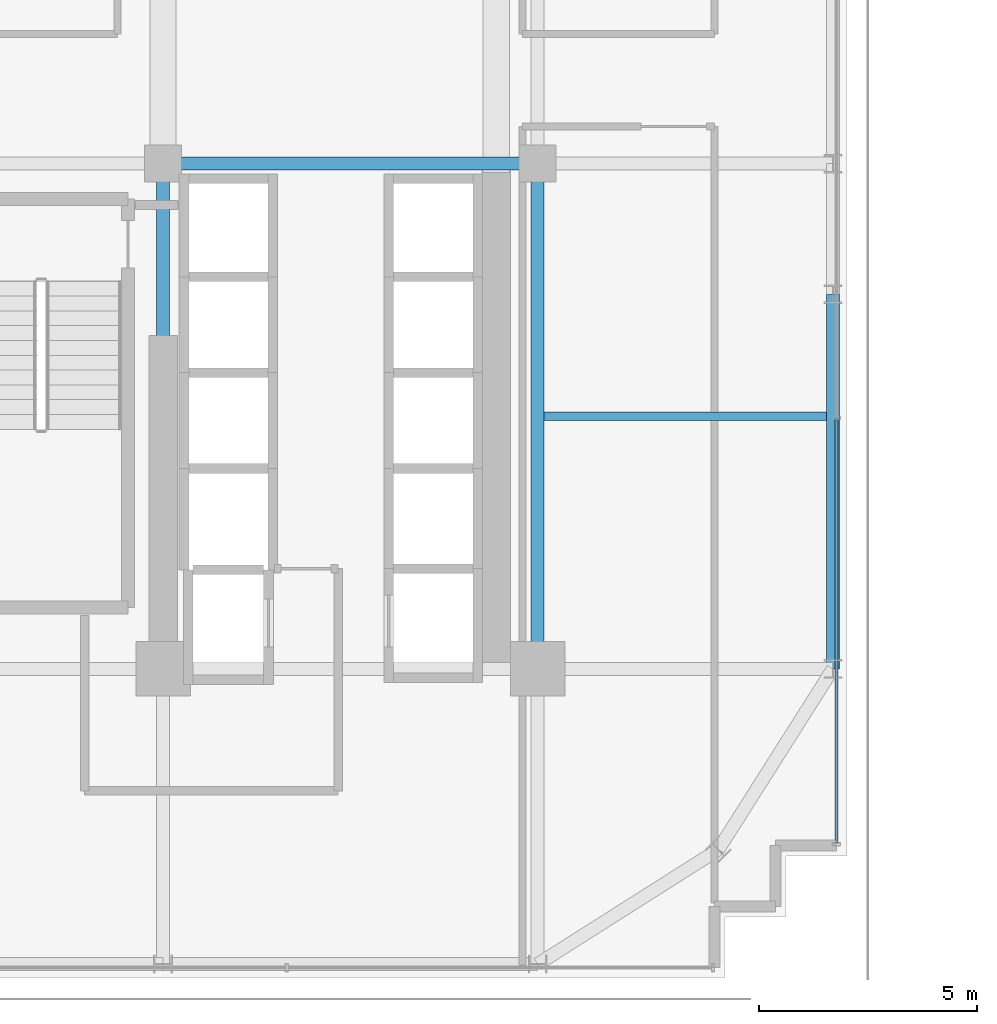
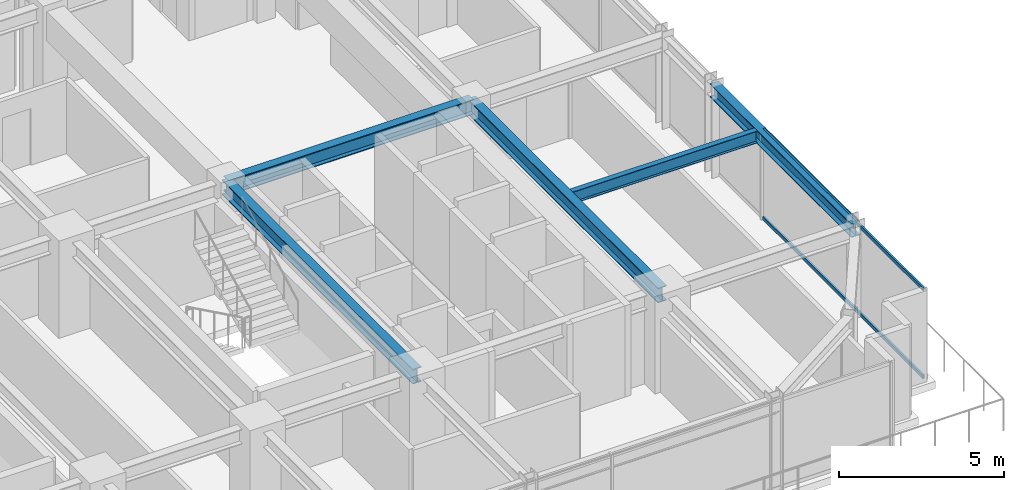
# One storey, part 13 of 34: 5 beams, 2 members, 1 element without a shape of its own.
"""IFC4 building model written with IfcOpenShell, lengths in metres."""

from ifc_helpers import new_model, si_unit, direction, frame, origin, origin_2d, place, context, subcontext, project, spatial, hollow_rectangle, i_section, extrude, source, transform, mapped, material, material_profile, profile_set, type_object, element, aggregate, save


model = new_model("IFC4")

# Units and contexts
model_context = context("Model", 3, precision=1e-05, world=origin(), true_north=direction((0.0, 1.0)))
body_context = subcontext(model_context, "Body", "Model", "MODEL_VIEW")
ifc_project = project(units=[si_unit("LENGTHUNIT", "METRE"), si_unit("AREAUNIT", "SQUARE_METRE"), si_unit("VOLUMEUNIT", "CUBIC_METRE"), si_unit("PLANEANGLEUNIT", "RADIAN"), si_unit("MASSUNIT", "GRAM", prefix="KILO")], contexts=[model_context])

# Site, building, storey
site_placement = place(None, origin())
site = spatial("IfcSite", under=ifc_project, at=site_placement, CompositionType="ELEMENT")
building_placement = place(site_placement, origin())
building = spatial("IfcBuilding", under=site, at=building_placement, Name="Nahalor Promenade Grand Hotel", CompositionType="ELEMENT")
storey_placement = place(building_placement, frame((0.0, 0.0, 88.300048828125)))
storey = spatial("IfcBuildingStorey", under=building, at=storey_placement, Name="L21", CompositionType="ELEMENT", Elevation=88.300048828125)

# Beams
ifc_material_1 = material(Name="Steel S355JR", Category="steel")
ifc_material_profile_1 = material_profile(ifc_material_1, i_section(OverallWidth=0.3, OverallDepth=0.5, WebThickness=0.0145, FlangeThickness=0.028, at=origin_2d()), Name="HEB 500")
ifc_profile_set_1 = profile_set([ifc_material_profile_1], Name="Steel S355JR")
beam_type_1 = type_object("IfcBeamType", Name="Beam-Spandrel-HEB500", PredefinedType="SPANDREL", material=ifc_profile_set_1)
shared_shape_1 = source(origin(), body_context, "Body", "SweptSolid", [
    extrude(i_section(OverallWidth=0.3, OverallDepth=0.5, WebThickness=0.0145, FlangeThickness=0.028, at=origin_2d()), origin(), (0.0, 0.0, 1.0), 8.60009765625),
])
beam_1_placement = place(storey_placement, frame((23.780029296875, -17.0, 3.1298828125), z_axis=(0.0, 1.0, 0.0), x_axis=(-1.0, 0.0, 0.0)))
element("IfcBeam", 1, at=beam_1_placement, inside=storey, type_object=beam_type_1, Name="BM-L21-SP-E-0", PredefinedType="SPANDREL", context=body_context, shape_type="MappedRepresentation", body=[
    mapped(shared_shape_1, transform((0.0, 0.0, 0.0), scale=1.0)),
])
ifc_material_profile_2 = material_profile(ifc_material_1, i_section(OverallWidth=0.3, OverallDepth=0.55, WebThickness=0.015, FlangeThickness=0.029, at=origin_2d()), Name="HEB 550")
ifc_profile_set_2 = profile_set([ifc_material_profile_2], Name="Steel S355JR")
beam_type_2 = type_object("IfcBeamType", Name="Beam-Girder-HEB550", PredefinedType="BEAM", material=ifc_profile_set_2)
shared_shape_2 = source(origin(), body_context, "Body", "SweptSolid", [
    extrude(i_section(OverallWidth=0.3, OverallDepth=0.55, WebThickness=0.015, FlangeThickness=0.029, at=origin_2d()), origin(), (0.0, 0.0, 1.0), 8.60009765625),
])
beam_2_placement = place(storey_placement, frame((8.39990234375, -5.39990234375, 3.10498046875), z_axis=(1.0, 0.0, 0.0), x_axis=(0.0, 1.0, 0.0)))
element("IfcBeam", 2, at=beam_2_placement, inside=storey, type_object=beam_type_2, Name="BM-L21-GX-1-5", PredefinedType="BEAM", context=body_context, shape_type="MappedRepresentation", body=[
    mapped(shared_shape_2, transform((0.0, 0.0, 0.0), scale=1.0)),
])
shared_shape_3 = source(origin(), body_context, "Body", "SweptSolid", [
    extrude(i_section(OverallWidth=0.3, OverallDepth=0.55, WebThickness=0.015, FlangeThickness=0.029, at=origin_2d()), origin(), (0.0, 0.0, 1.0), 11.60009765625),
])
for number, where, z_axis, x_axis, name in (
    (3, (8.39990234375, -17.0, 3.10498046875), (0.0, 1.0, 0.0), (-1.0, 0.0, 0.0), "BM-L21-GY-4-1"),
    (4, (17.0, -17.0, 3.10498046875), (0.0, 1.0, 0.0), (-1.0, 0.0, 0.0), "BM-L21-GY-5-1"),
):
    element("IfcBeam", number, at=place(storey_placement, frame(where, z_axis=z_axis, x_axis=x_axis)), inside=storey, type_object=beam_type_2, Name=name, PredefinedType="BEAM", context=body_context, shape_type="MappedRepresentation", body=[
        mapped(shared_shape_3, transform((0.0, 0.0, 0.0), scale=1.0)),
    ])
ifc_material_profile_3 = material_profile(ifc_material_1, i_section(OverallWidth=0.19, OverallDepth=0.45, WebThickness=0.0094, FlangeThickness=0.0146, at=origin_2d()), Name="IPE 450")
ifc_profile_set_3 = profile_set([ifc_material_profile_3], Name="Steel S355JR")
beam_type_3 = type_object("IfcBeamType", Name="Beam-Joist-IPE450", PredefinedType="JOIST", material=ifc_profile_set_3)
shared_shape_4 = source(origin(), body_context, "Body", "SweptSolid", [
    extrude(i_section(OverallWidth=0.19, OverallDepth=0.45, WebThickness=0.0094, FlangeThickness=0.0146, at=origin_2d()), origin(), (0.0, 0.0, 1.0), 6.47998046875),
])
beam_3_placement = place(storey_placement, frame((17.14990234375, -11.199951171875, 3.155029296875), z_axis=(1.0, 0.0, 0.0), x_axis=(0.0, 1.0, 0.0)))
element("IfcBeam", 5, at=beam_3_placement, inside=storey, type_object=beam_type_3, Name="BM-L21-JSE-0-2", PredefinedType="JOIST", context=body_context, shape_type="MappedRepresentation", body=[
    mapped(shared_shape_4, transform((0.0, 0.0, 0.0), scale=1.0)),
])

# Curtain wall, members
ifc_material_2 = material(Name="Anodised Bronze Aluminium EN AW-6063 T6", Category="aluminium")
curtain_wall_type = type_object("IfcCurtainWallType", Name="CW2 Typical Hotel Flush Bronze Unitised Curtain Wall", PredefinedType="USERDEFINED", material=ifc_material_2)
curtain_wall_placement = place(storey_placement, origin())
curtain_wall = element("IfcCurtainWall", 6, at=curtain_wall_placement, inside=storey, type_object=curtain_wall_type, Name="L21 Curtain Wall CW-L21-E-1", ObjectType="UNITISED_CURTAIN_WALL", PredefinedType="USERDEFINED")
ifc_material_profile_4 = material_profile(ifc_material_2, hollow_rectangle(XDim=0.065, YDim=0.13, WallThickness=0.004, at=origin_2d()), Name="CWT 65x130x4")
ifc_profile_set_4 = profile_set([ifc_material_profile_4], Name="Anodised Bronze Aluminium EN AW-6063 T6")
member_type = type_object("IfcMemberType", Name="CWT2 Typical Bronze Transom 65x130", PredefinedType="USERDEFINED", material=ifc_profile_set_4)
shared_shape_5 = source(origin(), body_context, "Body", "SweptSolid", [
    extrude(hollow_rectangle(XDim=0.065, YDim=0.13, WallThickness=0.004, at=origin_2d()), origin(), (0.0, 0.0, 1.0), 9.72265625),
])
member_1_placement = place(storey_placement, frame((23.860107421875, -20.9951171875, 0.06494140625), z_axis=(0.0, 1.0, 0.0), x_axis=(-1.0, 0.0, 0.0)))
member_1 = element("IfcMember", 7, at=member_1_placement, type_object=member_type, Name="CW-L21-E-1 Transom 0-0", ObjectType="TRANSOM", PredefinedType="USERDEFINED", context=body_context, shape_type="MappedRepresentation", body=[
    mapped(shared_shape_5, transform((0.0, 0.0, 0.0), scale=1.0)),
])
member_2_placement = place(storey_placement, frame((23.860107421875, -20.9951171875, 3.31494140625), z_axis=(0.0, 1.0, 0.0), x_axis=(-1.0, 0.0, 0.0)))
member_2 = element("IfcMember", 8, at=member_2_placement, type_object=member_type, Name="CW-L21-E-1 Transom 0-1", ObjectType="TRANSOM", PredefinedType="USERDEFINED", context=body_context, shape_type="MappedRepresentation", body=[
    mapped(shared_shape_5, transform((0.0, 0.0, 0.0), scale=1.0)),
])
aggregate(curtain_wall, [member_1, member_2])

save(model, "model.ifc")
